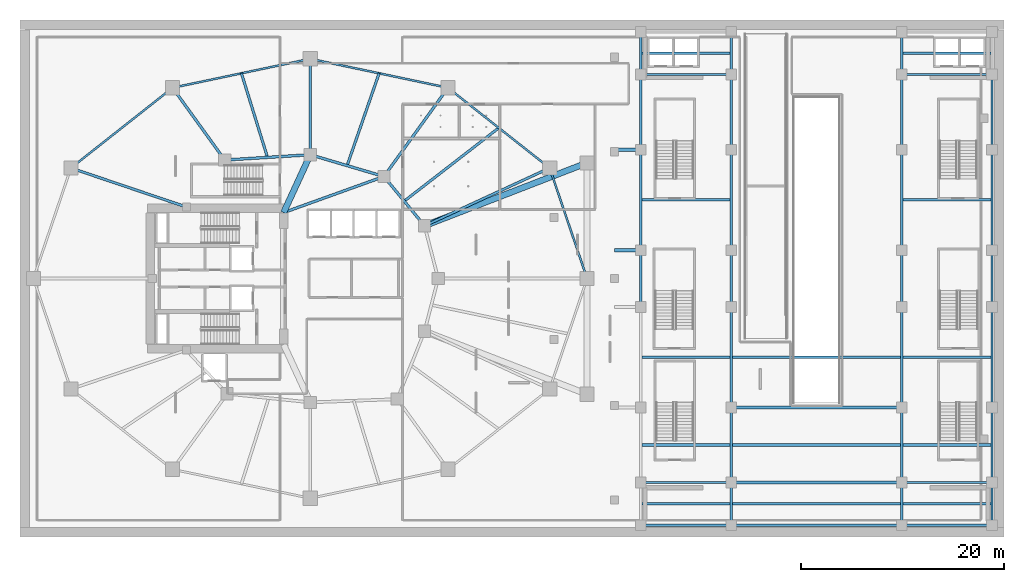
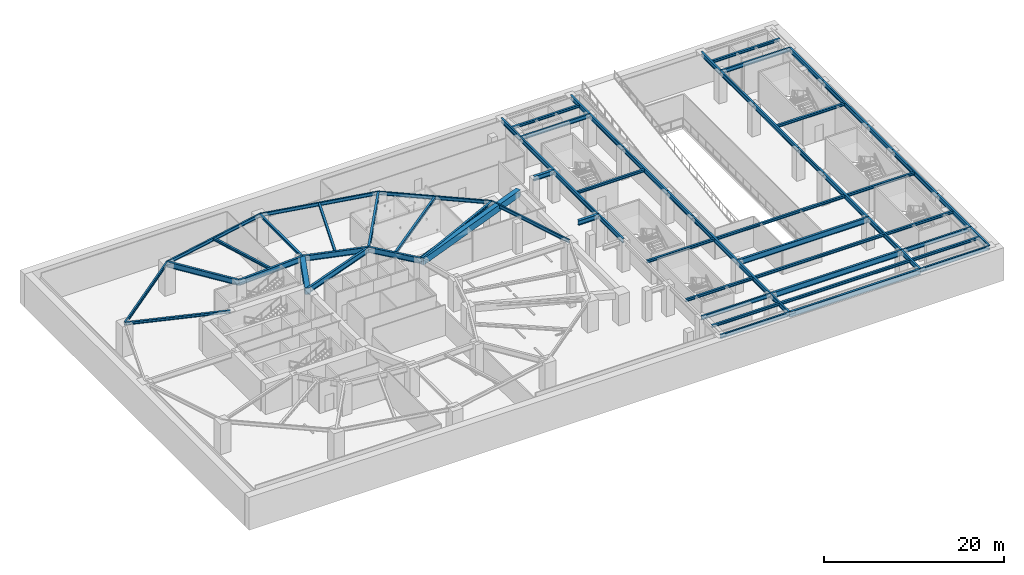
# One storey, part 2 of 16: 67 beams.
"""IFC4 building model written with IfcOpenShell, lengths in metres."""

from ifc_helpers import new_model, si_unit, direction, frame, origin, origin_2d, place, context, subcontext, project, spatial, rectangle, i_section, extrude, material, material_profile, profile_set, type_object, element, save


model = new_model("IFC4")

# Units and contexts
model_context = context("Model", 3, precision=1e-05, world=origin(), true_north=direction((0.0, 1.0)))
body_context = subcontext(model_context, "Body", "Model", "MODEL_VIEW")
ifc_project = project(units=[si_unit("LENGTHUNIT", "METRE"), si_unit("AREAUNIT", "SQUARE_METRE"), si_unit("VOLUMEUNIT", "CUBIC_METRE"), si_unit("PLANEANGLEUNIT", "RADIAN"), si_unit("MASSUNIT", "GRAM", prefix="KILO")], contexts=[model_context])

# Site, building, storey
site_placement = place(None, origin())
site = spatial("IfcSite", under=ifc_project, at=site_placement, CompositionType="ELEMENT")
building_placement = place(site_placement, origin())
building = spatial("IfcBuilding", under=site, at=building_placement, Name="Kolvaren Gate Tower and Convention Centre", CompositionType="ELEMENT")
storey_placement = place(building_placement, frame((0.0, 0.0, -4.5)))
storey = spatial("IfcBuildingStorey", under=building, at=storey_placement, Name="B1", CompositionType="ELEMENT", Elevation=-4.5)

# Beams
ifc_material_1 = material(Name="Structural steel ASTM A992 Grade 345 MPa", Category="steel")
ifc_material_profile_1 = material_profile(ifc_material_1, i_section(OverallWidth=0.2119140625, OverallDepth=0.5439453125, WebThickness=0.01318359375, FlangeThickness=0.021240234375, at=origin_2d()), Name="W530X123")
ifc_profile_set_1 = profile_set([ifc_material_profile_1], Name="Structural steel ASTM A992 Grade 345 MPa")
beam_type_1 = type_object("IfcBeamType", Name="STR-BM-W530X123", PredefinedType="BEAM", material=ifc_profile_set_1)
for number, where, z_axis, x_axis, name in (
    (1, (62.699951171875, 2.699951171875, 3.867919921875), (1.0, 0.0, 0.0), (0.0, 1.0, 0.0), "Convention B1 Transverse Girder CTG-11"),
    (2, (88.39990234375, 2.699951171875, 3.867919921875), (1.0, 0.0, 0.0), (0.0, 1.0, 0.0), "Convention B1 Transverse Girder CTG-31"),
    (3, (62.699951171875, 6.89990234375, 3.867919921875), (1.0, 0.0, 0.0), (0.0, 1.0, 0.0), "Convention B1 Transverse Girder CTG-12"),
    (4, (88.39990234375, 6.89990234375, 3.867919921875), (1.0, 0.0, 0.0), (0.0, 1.0, 0.0), "Convention B1 Transverse Girder CTG-32"),
    (5, (62.699951171875, 47.10009765625, 3.867919921875), (1.0, 0.0, 0.0), (0.0, 1.0, 0.0), "Convention B1 Transverse Girder CTG-17"),
    (6, (88.39990234375, 47.10009765625, 3.867919921875), (1.0, 0.0, 0.0), (0.0, 1.0, 0.0), "Convention B1 Transverse Girder CTG-37"),
):
    element("IfcBeam", number, at=place(storey_placement, frame(where, z_axis=z_axis, x_axis=x_axis)), inside=storey, type_object=beam_type_1, Name=name, PredefinedType="BEAM", context=body_context, shape_type="SweptSolid", body=[
        extrude(i_section(OverallWidth=0.2119140625, OverallDepth=0.5439453125, WebThickness=0.01318359375, FlangeThickness=0.021240234375, at=origin_2d()), origin(), (0.0, 0.0, 1.0), 8.900146484375),
    ])
ifc_material_profile_2 = material_profile(ifc_material_1, i_section(OverallWidth=0.22998046875, OverallDepth=0.616943359375, WebThickness=0.01318359375, FlangeThickness=0.022216796875, at=origin_2d()), Name="W610X140")
ifc_profile_set_2 = profile_set([ifc_material_profile_2], Name="Structural steel ASTM A992 Grade 345 MPa")
beam_type_2 = type_object("IfcBeamType", Name="STR-BM-W610X140", PredefinedType="BEAM", material=ifc_profile_set_2)
beam_1_placement = place(storey_placement, frame((62.699951171875, 24.199951171875, 3.83154296875), z_axis=(0.0, 1.0, 0.0), x_axis=(-1.0, 0.0, 0.0)))
element("IfcBeam", 7, at=beam_1_placement, inside=storey, type_object=beam_type_2, Name="Convention B1 Longitudinal Girder CG-14", PredefinedType="BEAM", context=body_context, shape_type="SweptSolid", body=[
    extrude(i_section(OverallWidth=0.22998046875, OverallDepth=0.616943359375, WebThickness=0.01318359375, FlangeThickness=0.022216796875, at=origin_2d()), origin(), (0.0, 0.0, 1.0), 5.60009765625),
])
beam_2_placement = place(storey_placement, frame((62.699951171875, 29.800048828125, 3.83154296875), z_axis=(0.0, 1.0, 0.0), x_axis=(-1.0, 0.0, 0.0)))
element("IfcBeam", 8, at=beam_2_placement, inside=storey, type_object=beam_type_2, Name="Convention B1 Longitudinal Girder CG-15", PredefinedType="BEAM", context=body_context, shape_type="SweptSolid", body=[
    extrude(i_section(OverallWidth=0.22998046875, OverallDepth=0.616943359375, WebThickness=0.01318359375, FlangeThickness=0.022216796875, at=origin_2d()), origin(), (0.0, 0.0, 1.0), 9.89990234375),
])
beam_3_placement = place(storey_placement, frame((62.699951171875, 39.699951171875, 3.83154296875), z_axis=(0.0, 1.0, 0.0), x_axis=(-1.0, 0.0, 0.0)))
element("IfcBeam", 9, at=beam_3_placement, inside=storey, type_object=beam_type_2, Name="Convention B1 Longitudinal Girder CG-16", PredefinedType="BEAM", context=body_context, shape_type="SweptSolid", body=[
    extrude(i_section(OverallWidth=0.22998046875, OverallDepth=0.616943359375, WebThickness=0.01318359375, FlangeThickness=0.022216796875, at=origin_2d()), origin(), (0.0, 0.0, 1.0), 7.400146484375),
])
for number, where, z_axis, x_axis, name in (
    (10, (62.699951171875, 47.10009765625, 3.83154296875), (0.0, 1.0, 0.0), (-1.0, 0.0, 0.0), "Convention B1 Longitudinal Girder CG-17"),
    (11, (71.60009765625, 2.699951171875, 3.83154296875), (0.0, 1.0, 0.0), (-1.0, 0.0, 0.0), "Convention B1 Longitudinal Girder CG-21"),
):
    element("IfcBeam", number, at=place(storey_placement, frame(where, z_axis=z_axis, x_axis=x_axis)), inside=storey, type_object=beam_type_2, Name=name, PredefinedType="BEAM", context=body_context, shape_type="SweptSolid", body=[
        extrude(i_section(OverallWidth=0.22998046875, OverallDepth=0.616943359375, WebThickness=0.01318359375, FlangeThickness=0.022216796875, at=origin_2d()), origin(), (0.0, 0.0, 1.0), 4.199951171875),
    ])
beam_4_placement = place(storey_placement, frame((71.60009765625, 6.89990234375, 3.83154296875), z_axis=(0.0, 1.0, 0.0), x_axis=(-1.0, 0.0, 0.0)))
element("IfcBeam", 12, at=beam_4_placement, inside=storey, type_object=beam_type_2, Name="Convention B1 Longitudinal Girder CG-22", PredefinedType="BEAM", context=body_context, shape_type="SweptSolid", body=[
    extrude(i_section(OverallWidth=0.22998046875, OverallDepth=0.616943359375, WebThickness=0.01318359375, FlangeThickness=0.022216796875, at=origin_2d()), origin(), (0.0, 0.0, 1.0), 7.400146484375),
])
beam_5_placement = place(storey_placement, frame((71.60009765625, 14.300048828125, 3.83154296875), z_axis=(0.0, 1.0, 0.0), x_axis=(-1.0, 0.0, 0.0)))
element("IfcBeam", 13, at=beam_5_placement, inside=storey, type_object=beam_type_2, Name="Convention B1 Longitudinal Girder CG-23", PredefinedType="BEAM", context=body_context, shape_type="SweptSolid", body=[
    extrude(i_section(OverallWidth=0.22998046875, OverallDepth=0.616943359375, WebThickness=0.01318359375, FlangeThickness=0.022216796875, at=origin_2d()), origin(), (0.0, 0.0, 1.0), 9.89990234375),
])
beam_6_placement = place(storey_placement, frame((71.60009765625, 24.199951171875, 3.83154296875), z_axis=(0.0, 1.0, 0.0), x_axis=(-1.0, 0.0, 0.0)))
element("IfcBeam", 14, at=beam_6_placement, inside=storey, type_object=beam_type_2, Name="Convention B1 Longitudinal Girder CG-24", PredefinedType="BEAM", context=body_context, shape_type="SweptSolid", body=[
    extrude(i_section(OverallWidth=0.22998046875, OverallDepth=0.616943359375, WebThickness=0.01318359375, FlangeThickness=0.022216796875, at=origin_2d()), origin(), (0.0, 0.0, 1.0), 5.60009765625),
])
beam_7_placement = place(storey_placement, frame((71.60009765625, 29.800048828125, 3.83154296875), z_axis=(0.0, 1.0, 0.0), x_axis=(-1.0, 0.0, 0.0)))
element("IfcBeam", 15, at=beam_7_placement, inside=storey, type_object=beam_type_2, Name="Convention B1 Longitudinal Girder CG-25", PredefinedType="BEAM", context=body_context, shape_type="SweptSolid", body=[
    extrude(i_section(OverallWidth=0.22998046875, OverallDepth=0.616943359375, WebThickness=0.01318359375, FlangeThickness=0.022216796875, at=origin_2d()), origin(), (0.0, 0.0, 1.0), 9.89990234375),
])
beam_8_placement = place(storey_placement, frame((71.60009765625, 39.699951171875, 3.83154296875), z_axis=(0.0, 1.0, 0.0), x_axis=(-1.0, 0.0, 0.0)))
element("IfcBeam", 16, at=beam_8_placement, inside=storey, type_object=beam_type_2, Name="Convention B1 Longitudinal Girder CG-26", PredefinedType="BEAM", context=body_context, shape_type="SweptSolid", body=[
    extrude(i_section(OverallWidth=0.22998046875, OverallDepth=0.616943359375, WebThickness=0.01318359375, FlangeThickness=0.022216796875, at=origin_2d()), origin(), (0.0, 0.0, 1.0), 7.400146484375),
])
for number, where, z_axis, x_axis, name in (
    (17, (71.60009765625, 47.10009765625, 3.83154296875), (0.0, 1.0, 0.0), (-1.0, 0.0, 0.0), "Convention B1 Longitudinal Girder CG-27"),
    (18, (88.39990234375, 2.699951171875, 3.83154296875), (0.0, 1.0, 0.0), (-1.0, 0.0, 0.0), "Convention B1 Longitudinal Girder CG-31"),
):
    element("IfcBeam", number, at=place(storey_placement, frame(where, z_axis=z_axis, x_axis=x_axis)), inside=storey, type_object=beam_type_2, Name=name, PredefinedType="BEAM", context=body_context, shape_type="SweptSolid", body=[
        extrude(i_section(OverallWidth=0.22998046875, OverallDepth=0.616943359375, WebThickness=0.01318359375, FlangeThickness=0.022216796875, at=origin_2d()), origin(), (0.0, 0.0, 1.0), 4.199951171875),
    ])
beam_9_placement = place(storey_placement, frame((88.39990234375, 6.89990234375, 3.83154296875), z_axis=(0.0, 1.0, 0.0), x_axis=(-1.0, 0.0, 0.0)))
element("IfcBeam", 19, at=beam_9_placement, inside=storey, type_object=beam_type_2, Name="Convention B1 Longitudinal Girder CG-32", PredefinedType="BEAM", context=body_context, shape_type="SweptSolid", body=[
    extrude(i_section(OverallWidth=0.22998046875, OverallDepth=0.616943359375, WebThickness=0.01318359375, FlangeThickness=0.022216796875, at=origin_2d()), origin(), (0.0, 0.0, 1.0), 7.400146484375),
])
beam_10_placement = place(storey_placement, frame((88.39990234375, 14.300048828125, 3.83154296875), z_axis=(0.0, 1.0, 0.0), x_axis=(-1.0, 0.0, 0.0)))
element("IfcBeam", 20, at=beam_10_placement, inside=storey, type_object=beam_type_2, Name="Convention B1 Longitudinal Girder CG-33", PredefinedType="BEAM", context=body_context, shape_type="SweptSolid", body=[
    extrude(i_section(OverallWidth=0.22998046875, OverallDepth=0.616943359375, WebThickness=0.01318359375, FlangeThickness=0.022216796875, at=origin_2d()), origin(), (0.0, 0.0, 1.0), 9.89990234375),
])
beam_11_placement = place(storey_placement, frame((88.39990234375, 24.199951171875, 3.83154296875), z_axis=(0.0, 1.0, 0.0), x_axis=(-1.0, 0.0, 0.0)))
element("IfcBeam", 21, at=beam_11_placement, inside=storey, type_object=beam_type_2, Name="Convention B1 Longitudinal Girder CG-34", PredefinedType="BEAM", context=body_context, shape_type="SweptSolid", body=[
    extrude(i_section(OverallWidth=0.22998046875, OverallDepth=0.616943359375, WebThickness=0.01318359375, FlangeThickness=0.022216796875, at=origin_2d()), origin(), (0.0, 0.0, 1.0), 5.60009765625),
])
beam_12_placement = place(storey_placement, frame((88.39990234375, 29.800048828125, 3.83154296875), z_axis=(0.0, 1.0, 0.0), x_axis=(-1.0, 0.0, 0.0)))
element("IfcBeam", 22, at=beam_12_placement, inside=storey, type_object=beam_type_2, Name="Convention B1 Longitudinal Girder CG-35", PredefinedType="BEAM", context=body_context, shape_type="SweptSolid", body=[
    extrude(i_section(OverallWidth=0.22998046875, OverallDepth=0.616943359375, WebThickness=0.01318359375, FlangeThickness=0.022216796875, at=origin_2d()), origin(), (0.0, 0.0, 1.0), 9.89990234375),
])
beam_13_placement = place(storey_placement, frame((88.39990234375, 39.699951171875, 3.83154296875), z_axis=(0.0, 1.0, 0.0), x_axis=(-1.0, 0.0, 0.0)))
element("IfcBeam", 23, at=beam_13_placement, inside=storey, type_object=beam_type_2, Name="Convention B1 Longitudinal Girder CG-36", PredefinedType="BEAM", context=body_context, shape_type="SweptSolid", body=[
    extrude(i_section(OverallWidth=0.22998046875, OverallDepth=0.616943359375, WebThickness=0.01318359375, FlangeThickness=0.022216796875, at=origin_2d()), origin(), (0.0, 0.0, 1.0), 7.400146484375),
])
for number, where, z_axis, x_axis, name in (
    (24, (88.39990234375, 47.10009765625, 3.83154296875), (0.0, 1.0, 0.0), (-1.0, 0.0, 0.0), "Convention B1 Longitudinal Girder CG-37"),
    (25, (97.300048828125, 2.699951171875, 3.83154296875), (0.0, 1.0, 0.0), (-1.0, 0.0, 0.0), "Convention B1 Longitudinal Girder CG-41"),
):
    element("IfcBeam", number, at=place(storey_placement, frame(where, z_axis=z_axis, x_axis=x_axis)), inside=storey, type_object=beam_type_2, Name=name, PredefinedType="BEAM", context=body_context, shape_type="SweptSolid", body=[
        extrude(i_section(OverallWidth=0.22998046875, OverallDepth=0.616943359375, WebThickness=0.01318359375, FlangeThickness=0.022216796875, at=origin_2d()), origin(), (0.0, 0.0, 1.0), 4.199951171875),
    ])
beam_14_placement = place(storey_placement, frame((97.300048828125, 6.89990234375, 3.83154296875), z_axis=(0.0, 1.0, 0.0), x_axis=(-1.0, 0.0, 0.0)))
element("IfcBeam", 26, at=beam_14_placement, inside=storey, type_object=beam_type_2, Name="Convention B1 Longitudinal Girder CG-42", PredefinedType="BEAM", context=body_context, shape_type="SweptSolid", body=[
    extrude(i_section(OverallWidth=0.22998046875, OverallDepth=0.616943359375, WebThickness=0.01318359375, FlangeThickness=0.022216796875, at=origin_2d()), origin(), (0.0, 0.0, 1.0), 7.400146484375),
])
beam_15_placement = place(storey_placement, frame((97.300048828125, 14.300048828125, 3.83154296875), z_axis=(0.0, 1.0, 0.0), x_axis=(-1.0, 0.0, 0.0)))
element("IfcBeam", 27, at=beam_15_placement, inside=storey, type_object=beam_type_2, Name="Convention B1 Longitudinal Girder CG-43", PredefinedType="BEAM", context=body_context, shape_type="SweptSolid", body=[
    extrude(i_section(OverallWidth=0.22998046875, OverallDepth=0.616943359375, WebThickness=0.01318359375, FlangeThickness=0.022216796875, at=origin_2d()), origin(), (0.0, 0.0, 1.0), 9.89990234375),
])
beam_16_placement = place(storey_placement, frame((97.300048828125, 24.199951171875, 3.83154296875), z_axis=(0.0, 1.0, 0.0), x_axis=(-1.0, 0.0, 0.0)))
element("IfcBeam", 28, at=beam_16_placement, inside=storey, type_object=beam_type_2, Name="Convention B1 Longitudinal Girder CG-44", PredefinedType="BEAM", context=body_context, shape_type="SweptSolid", body=[
    extrude(i_section(OverallWidth=0.22998046875, OverallDepth=0.616943359375, WebThickness=0.01318359375, FlangeThickness=0.022216796875, at=origin_2d()), origin(), (0.0, 0.0, 1.0), 5.60009765625),
])
beam_17_placement = place(storey_placement, frame((97.300048828125, 29.800048828125, 3.83154296875), z_axis=(0.0, 1.0, 0.0), x_axis=(-1.0, 0.0, 0.0)))
element("IfcBeam", 29, at=beam_17_placement, inside=storey, type_object=beam_type_2, Name="Convention B1 Longitudinal Girder CG-45", PredefinedType="BEAM", context=body_context, shape_type="SweptSolid", body=[
    extrude(i_section(OverallWidth=0.22998046875, OverallDepth=0.616943359375, WebThickness=0.01318359375, FlangeThickness=0.022216796875, at=origin_2d()), origin(), (0.0, 0.0, 1.0), 9.89990234375),
])
beam_18_placement = place(storey_placement, frame((97.300048828125, 39.699951171875, 3.83154296875), z_axis=(0.0, 1.0, 0.0), x_axis=(-1.0, 0.0, 0.0)))
element("IfcBeam", 30, at=beam_18_placement, inside=storey, type_object=beam_type_2, Name="Convention B1 Longitudinal Girder CG-46", PredefinedType="BEAM", context=body_context, shape_type="SweptSolid", body=[
    extrude(i_section(OverallWidth=0.22998046875, OverallDepth=0.616943359375, WebThickness=0.01318359375, FlangeThickness=0.022216796875, at=origin_2d()), origin(), (0.0, 0.0, 1.0), 7.400146484375),
])
ifc_material_profile_3 = material_profile(ifc_material_1, i_section(OverallWidth=0.327880859375, OverallDepth=0.6279296875, WebThickness=0.0166015625, FlangeThickness=0.027587890625, at=origin_2d()), Name="W610X217")
ifc_profile_set_3 = profile_set([ifc_material_profile_3], Name="Structural steel ASTM A992 Grade 345 MPa")
beam_type_3 = type_object("IfcBeamType", Name="STR-BM-W610X217", PredefinedType="BEAM", material=ifc_profile_set_3)
for number, where, z_axis, x_axis, name in (
    (31, (60.10009765625, 29.800048828125, 3.825927734375), (1.0, 0.0, 0.0), (0.0, 1.0, 0.0), "Basement B1 Substructure Girder SG-29"),
    (32, (60.10009765625, 39.699951171875, 3.825927734375), (1.0, 0.0, 0.0), (0.0, 1.0, 0.0), "Basement B1 Substructure Girder SG-39"),
):
    element("IfcBeam", number, at=place(storey_placement, frame(where, z_axis=z_axis, x_axis=x_axis)), inside=storey, type_object=beam_type_3, Name=name, PredefinedType="BEAM", context=body_context, shape_type="SweptSolid", body=[
        extrude(i_section(OverallWidth=0.327880859375, OverallDepth=0.6279296875, WebThickness=0.0166015625, FlangeThickness=0.027587890625, at=origin_2d()), origin(), (0.0, 0.0, 1.0), 2.599853515625),
    ])
ifc_material_profile_4 = material_profile(ifc_material_1, i_section(OverallWidth=0.26806640625, OverallDepth=0.758056640625, WebThickness=0.016357421875, FlangeThickness=0.025390625, at=origin_2d()), Name="W760X220")
ifc_profile_set_4 = profile_set([ifc_material_profile_4], Name="Structural steel ASTM A992 Grade 345 MPa")
beam_type_4 = type_object("IfcBeamType", Name="STR-BM-W760X220", PredefinedType="BEAM", material=ifc_profile_set_4)
beam_19_placement = place(storey_placement, frame((41.382080078125, 32.199462890625, 3.760986328125), z_axis=(-0.635884066011, 0.771784590798, 0.0), x_axis=(-0.771784590798, -0.635884066011, 0.0)))
element("IfcBeam", 33, at=beam_19_placement, inside=storey, type_object=beam_type_4, Name="Tower B1 Primary Ring Girder G-02", PredefinedType="BEAM", context=body_context, shape_type="SweptSolid", body=[
    extrude(i_section(OverallWidth=0.26806640625, OverallDepth=0.758056640625, WebThickness=0.016357421875, FlangeThickness=0.025390625, at=origin_2d()), origin(), (0.0, 0.0, 1.0), 6.291259765625),
])
beam_20_placement = place(storey_placement, frame((37.381591796875, 37.054931640625, 3.760986328125), z_axis=(-0.958980837827, 0.283470902706, 0.0), x_axis=(-0.283470902706, -0.958980837827, 0.0)))
element("IfcBeam", 34, at=beam_20_placement, inside=storey, type_object=beam_type_4, Name="Tower B1 Primary Ring Girder G-03", PredefinedType="BEAM", context=body_context, shape_type="SweptSolid", body=[
    extrude(i_section(OverallWidth=0.26806640625, OverallDepth=0.758056640625, WebThickness=0.016357421875, FlangeThickness=0.025390625, at=origin_2d()), origin(), (0.0, 0.0, 1.0), 7.56689453125),
])
beam_21_placement = place(storey_placement, frame((30.125, 39.199951171875, 3.760986328125), z_axis=(-0.998078258568, -0.06196603726, 0.0), x_axis=(0.06196603726, -0.998078258568, 0.0)))
element("IfcBeam", 35, at=beam_21_placement, inside=storey, type_object=beam_type_4, Name="Tower B1 Primary Ring Girder G-04", PredefinedType="BEAM", context=body_context, shape_type="SweptSolid", body=[
    extrude(i_section(OverallWidth=0.26806640625, OverallDepth=0.758056640625, WebThickness=0.016357421875, FlangeThickness=0.025390625, at=origin_2d()), origin(), (0.0, 0.0, 1.0), 8.443115234375),
])
beam_22_placement = place(storey_placement, frame((27.5, 33.5, 3.760986328125), z_axis=(0.940961479908, 0.338513653093, 0.0), x_axis=(-0.338513653093, 0.940961479908, 0.0)))
element("IfcBeam", 36, at=beam_22_placement, inside=storey, type_object=beam_type_4, Name="Tower B1 Primary Ring Girder G-10", PredefinedType="BEAM", context=body_context, shape_type="SweptSolid", body=[
    extrude(i_section(OverallWidth=0.26806640625, OverallDepth=0.758056640625, WebThickness=0.016357421875, FlangeThickness=0.025390625, at=origin_2d()), origin(), (0.0, 0.0, 1.0), 10.501708984375),
])
beam_23_placement = place(storey_placement, frame((37.381591796875, 37.054931640625, 3.760986328125), z_axis=(0.585205244783, 0.81088520857, 0.0), x_axis=(-0.81088520857, 0.585205244783, 0.0)))
element("IfcBeam", 37, at=beam_23_placement, inside=storey, type_object=beam_type_4, Name="Tower B1 Radial Floor Girder RB-03", PredefinedType="BEAM", context=body_context, shape_type="SweptSolid", body=[
    extrude(i_section(OverallWidth=0.26806640625, OverallDepth=0.758056640625, WebThickness=0.016357421875, FlangeThickness=0.025390625, at=origin_2d()), origin(), (0.0, 0.0, 1.0), 10.780029296875),
])
beam_24_placement = place(storey_placement, frame((21.697998046875, 38.6767578125, 3.760986328125), z_axis=(-0.585208283095, 0.810883015852, 0.0), x_axis=(-0.810883015852, -0.585208283095, 0.0)))
element("IfcBeam", 38, at=beam_24_placement, inside=storey, type_object=beam_type_4, Name="Tower B1 Radial Floor Girder RB-05", PredefinedType="BEAM", context=body_context, shape_type="SweptSolid", body=[
    extrude(i_section(OverallWidth=0.26806640625, OverallDepth=0.758056640625, WebThickness=0.016357421875, FlangeThickness=0.025390625, at=origin_2d()), origin(), (0.0, 0.0, 1.0), 8.780029296875),
])
for number, where, z_axis, x_axis, name in (
    (39, (71.60009765625, 2.699951171875, 3.760986328125), (1.0, 0.0, 0.0), (0.0, 1.0, 0.0), "Convention B1 Transverse Girder CTG-21"),
    (40, (71.60009765625, 6.89990234375, 3.760986328125), (1.0, 0.0, 0.0), (0.0, 1.0, 0.0), "Convention B1 Transverse Girder CTG-22"),
    (41, (71.60009765625, 14.300048828125, 3.760986328125), (1.0, 0.0, 0.0), (0.0, 1.0, 0.0), "Convention B1 Transverse Girder CTG-23"),
):
    element("IfcBeam", number, at=place(storey_placement, frame(where, z_axis=z_axis, x_axis=x_axis)), inside=storey, type_object=beam_type_4, Name=name, PredefinedType="BEAM", context=body_context, shape_type="SweptSolid", body=[
        extrude(i_section(OverallWidth=0.26806640625, OverallDepth=0.758056640625, WebThickness=0.016357421875, FlangeThickness=0.025390625, at=origin_2d()), origin(), (0.0, 0.0, 1.0), 16.7998046875),
    ])
ifc_material_profile_5 = material_profile(ifc_material_1, i_section(OverallWidth=0.2548828125, OverallDepth=0.35693359375, WebThickness=0.010498046875, FlangeThickness=0.018310546875, at=origin_2d()), Name="W360X101")
ifc_profile_set_5 = profile_set([ifc_material_profile_5], Name="Structural steel ASTM A992 Grade 345 MPa")
beam_type_5 = type_object("IfcBeamType", Name="STR-JS-W360X101", PredefinedType="JOIST", material=ifc_profile_set_5)
beam_25_placement = place(storey_placement, frame((41.382080078125, 32.199462890625, 3.96142578125), z_axis=(0.907842006347, 0.419312403241, 0.0), x_axis=(-0.419312403241, 0.907842006347, 0.0)))
element("IfcBeam", 42, at=beam_25_placement, inside=storey, type_object=beam_type_5, Name="Tower B1 Radial Floor Girder RB-02", PredefinedType="JOIST", context=body_context, shape_type="SweptSolid", body=[
    extrude(i_section(OverallWidth=0.2548828125, OverallDepth=0.35693359375, WebThickness=0.010498046875, FlangeThickness=0.018310546875, at=origin_2d()), origin(), (0.0, 0.0, 1.0), 13.57958984375),
])
beam_26_placement = place(storey_placement, frame((30.125, 39.199951171875, 3.96142578125), z_axis=(0.0, 1.0, 0.0), x_axis=(-1.0, 0.0, 0.0)))
element("IfcBeam", 43, at=beam_26_placement, inside=storey, type_object=beam_type_5, Name="Tower B1 Radial Floor Girder RB-04", PredefinedType="JOIST", context=body_context, shape_type="SweptSolid", body=[
    extrude(i_section(OverallWidth=0.2548828125, OverallDepth=0.35693359375, WebThickness=0.010498046875, FlangeThickness=0.018310546875, at=origin_2d()), origin(), (0.0, 0.0, 1.0), 9.449951171875),
])
beam_27_placement = place(storey_placement, frame((17.9140625, 34.050048828125, 3.96142578125), z_axis=(-0.947373842609, 0.320129352512, 0.0), x_axis=(-0.320129352512, -0.947373842609, 0.0)))
element("IfcBeam", 44, at=beam_27_placement, inside=storey, type_object=beam_type_5, Name="Tower B1 Radial Floor Girder RB-06", PredefinedType="JOIST", context=body_context, shape_type="SweptSolid", body=[
    extrude(i_section(OverallWidth=0.2548828125, OverallDepth=0.35693359375, WebThickness=0.010498046875, FlangeThickness=0.018310546875, at=origin_2d()), origin(), (0.0, 0.0, 1.0), 12.006103515625),
])
beam_28_placement = place(storey_placement, frame((39.3818359375, 34.627197265625, 3.96142578125), z_axis=(0.790577493994, 0.612362005671, 0.0), x_axis=(-0.612362005671, 0.790577493994, 0.0)))
element("IfcBeam", 45, at=beam_28_placement, inside=storey, type_object=beam_type_5, Name="Tower B1 Secondary Composite Floor Joist J-02.1", PredefinedType="JOIST", context=body_context, shape_type="SweptSolid", body=[
    extrude(i_section(OverallWidth=0.2548828125, OverallDepth=0.35693359375, WebThickness=0.010498046875, FlangeThickness=0.018310546875, at=origin_2d()), origin(), (0.0, 0.0, 1.0), 11.786865234375),
])
beam_29_placement = place(storey_placement, frame((33.75341796875, 38.12744140625, 3.96142578125), z_axis=(0.327647050942, 0.944800195813, 0.0), x_axis=(-0.944800195813, 0.327647050942, 0.0)))
element("IfcBeam", 46, at=beam_29_placement, inside=storey, type_object=beam_type_5, Name="Tower B1 Secondary Composite Floor Joist J-03.1", PredefinedType="JOIST", context=body_context, shape_type="SweptSolid", body=[
    extrude(i_section(OverallWidth=0.2548828125, OverallDepth=0.35693359375, WebThickness=0.010498046875, FlangeThickness=0.018310546875, at=origin_2d()), origin(), (0.0, 0.0, 1.0), 9.627197265625),
])
beam_30_placement = place(storey_placement, frame((25.91162109375, 38.938232421875, 3.96142578125), z_axis=(-0.296205333134, 0.955124285433, 0.0), x_axis=(-0.955124285433, -0.296205333134, 0.0)))
element("IfcBeam", 47, at=beam_30_placement, inside=storey, type_object=beam_type_5, Name="Tower B1 Secondary Composite Floor Joist J-04.1", PredefinedType="JOIST", context=body_context, shape_type="SweptSolid", body=[
    extrude(i_section(OverallWidth=0.2548828125, OverallDepth=0.35693359375, WebThickness=0.010498046875, FlangeThickness=0.018310546875, at=origin_2d()), origin(), (0.0, 0.0, 1.0), 8.674072265625),
])
beam_31_placement = place(storey_placement, frame((62.81494140625, 4.800048828125, 3.96142578125), z_axis=(1.0, 0.0, 0.0), x_axis=(0.0, 1.0, 0.0)))
element("IfcBeam", 48, at=beam_31_placement, inside=storey, type_object=beam_type_5, Name="Convention B1 Composite Floor Joist CJ-11", PredefinedType="JOIST", context=body_context, shape_type="SweptSolid", body=[
    extrude(i_section(OverallWidth=0.2548828125, OverallDepth=0.35693359375, WebThickness=0.010498046875, FlangeThickness=0.018310546875, at=origin_2d()), origin(), (0.0, 0.0, 1.0), 8.670166015625),
])
beam_32_placement = place(storey_placement, frame((71.715087890625, 4.800048828125, 3.96142578125), z_axis=(1.0, 0.0, 0.0), x_axis=(0.0, 1.0, 0.0)))
element("IfcBeam", 49, at=beam_32_placement, inside=storey, type_object=beam_type_5, Name="Convention B1 Composite Floor Joist CJ-21", PredefinedType="JOIST", context=body_context, shape_type="SweptSolid", body=[
    extrude(i_section(OverallWidth=0.2548828125, OverallDepth=0.35693359375, WebThickness=0.010498046875, FlangeThickness=0.018310546875, at=origin_2d()), origin(), (0.0, 0.0, 1.0), 16.56982421875),
])
for number, where, z_axis, x_axis, name in (
    (50, (88.514892578125, 4.800048828125, 3.96142578125), (1.0, 0.0, 0.0), (0.0, 1.0, 0.0), "Convention B1 Composite Floor Joist CJ-31"),
    (51, (62.81494140625, 10.60009765625, 3.96142578125), (1.0, 0.0, 0.0), (0.0, 1.0, 0.0), "Convention B1 Composite Floor Joist CJ-12"),
):
    element("IfcBeam", number, at=place(storey_placement, frame(where, z_axis=z_axis, x_axis=x_axis)), inside=storey, type_object=beam_type_5, Name=name, PredefinedType="JOIST", context=body_context, shape_type="SweptSolid", body=[
        extrude(i_section(OverallWidth=0.2548828125, OverallDepth=0.35693359375, WebThickness=0.010498046875, FlangeThickness=0.018310546875, at=origin_2d()), origin(), (0.0, 0.0, 1.0), 8.670166015625),
    ])
beam_33_placement = place(storey_placement, frame((71.715087890625, 10.60009765625, 3.96142578125), z_axis=(1.0, 0.0, 0.0), x_axis=(0.0, 1.0, 0.0)))
element("IfcBeam", 52, at=beam_33_placement, inside=storey, type_object=beam_type_5, Name="Convention B1 Composite Floor Joist CJ-22", PredefinedType="JOIST", context=body_context, shape_type="SweptSolid", body=[
    extrude(i_section(OverallWidth=0.2548828125, OverallDepth=0.35693359375, WebThickness=0.010498046875, FlangeThickness=0.018310546875, at=origin_2d()), origin(), (0.0, 0.0, 1.0), 16.56982421875),
])
for number, where, z_axis, x_axis, name in (
    (53, (88.514892578125, 10.60009765625, 3.96142578125), (1.0, 0.0, 0.0), (0.0, 1.0, 0.0), "Convention B1 Composite Floor Joist CJ-32"),
    (54, (62.81494140625, 19.25, 3.96142578125), (1.0, 0.0, 0.0), (0.0, 1.0, 0.0), "Convention B1 Composite Floor Joist CJ-13"),
):
    element("IfcBeam", number, at=place(storey_placement, frame(where, z_axis=z_axis, x_axis=x_axis)), inside=storey, type_object=beam_type_5, Name=name, PredefinedType="JOIST", context=body_context, shape_type="SweptSolid", body=[
        extrude(i_section(OverallWidth=0.2548828125, OverallDepth=0.35693359375, WebThickness=0.010498046875, FlangeThickness=0.018310546875, at=origin_2d()), origin(), (0.0, 0.0, 1.0), 8.670166015625),
    ])
beam_34_placement = place(storey_placement, frame((71.715087890625, 19.25, 3.96142578125), z_axis=(1.0, 0.0, 0.0), x_axis=(0.0, 1.0, 0.0)))
element("IfcBeam", 55, at=beam_34_placement, inside=storey, type_object=beam_type_5, Name="Convention B1 Composite Floor Joist CJ-23", PredefinedType="JOIST", context=body_context, shape_type="SweptSolid", body=[
    extrude(i_section(OverallWidth=0.2548828125, OverallDepth=0.35693359375, WebThickness=0.010498046875, FlangeThickness=0.018310546875, at=origin_2d()), origin(), (0.0, 0.0, 1.0), 16.56982421875),
])
for number, where, z_axis, x_axis, name in (
    (56, (88.514892578125, 19.25, 3.96142578125), (1.0, 0.0, 0.0), (0.0, 1.0, 0.0), "Convention B1 Composite Floor Joist CJ-33"),
    (57, (62.81494140625, 34.75, 3.96142578125), (1.0, 0.0, 0.0), (0.0, 1.0, 0.0), "Convention B1 Composite Floor Joist CJ-15"),
    (58, (88.514892578125, 34.75, 3.96142578125), (1.0, 0.0, 0.0), (0.0, 1.0, 0.0), "Convention B1 Composite Floor Joist CJ-35"),
    (59, (62.81494140625, 49.199951171875, 3.96142578125), (1.0, 0.0, 0.0), (0.0, 1.0, 0.0), "Convention B1 Composite Floor Joist CJ-17"),
    (60, (88.514892578125, 49.199951171875, 3.96142578125), (1.0, 0.0, 0.0), (0.0, 1.0, 0.0), "Convention B1 Composite Floor Joist CJ-37"),
):
    element("IfcBeam", number, at=place(storey_placement, frame(where, z_axis=z_axis, x_axis=x_axis)), inside=storey, type_object=beam_type_5, Name=name, PredefinedType="JOIST", context=body_context, shape_type="SweptSolid", body=[
        extrude(i_section(OverallWidth=0.2548828125, OverallDepth=0.35693359375, WebThickness=0.010498046875, FlangeThickness=0.018310546875, at=origin_2d()), origin(), (0.0, 0.0, 1.0), 8.670166015625),
    ])
ifc_material_profile_6 = material_profile(ifc_material_1, i_section(OverallWidth=0.194091796875, OverallDepth=0.468994140625, WebThickness=0.0126953125, FlangeThickness=0.0205078125, at=origin_2d()), Name="W460X106")
ifc_profile_set_6 = profile_set([ifc_material_profile_6], Name="Structural steel ASTM A992 Grade 345 MPa")
beam_type_6 = type_object("IfcBeamType", Name="STR-SP-W460X106", PredefinedType="SPANDREL", material=ifc_profile_set_6)
beam_35_placement = place(storey_placement, frame((57.39990234375, 27.0, 3.905517578125), z_axis=(-0.320802733798, 0.947146032029, 0.0), x_axis=(-0.947146032029, -0.320802733798, 0.0)))
element("IfcBeam", 61, at=beam_35_placement, inside=storey, type_object=beam_type_6, Name="Tower B1 Perimeter Spandrel Beam SP-01", PredefinedType="SPANDREL", context=body_context, shape_type="SweptSolid", body=[
    extrude(i_section(OverallWidth=0.194091796875, OverallDepth=0.468994140625, WebThickness=0.0126953125, FlangeThickness=0.0205078125, at=origin_2d()), origin(), (0.0, 0.0, 1.0), 11.50146484375),
])
beam_36_placement = place(storey_placement, frame((53.710205078125, 37.8935546875, 3.905517578125), z_axis=(-0.785176498861, 0.619272044933, 0.0), x_axis=(-0.619272044933, -0.785176498861, 0.0)))
element("IfcBeam", 62, at=beam_36_placement, inside=storey, type_object=beam_type_6, Name="Tower B1 Perimeter Spandrel Beam SP-02", PredefinedType="SPANDREL", context=body_context, shape_type="SweptSolid", body=[
    extrude(i_section(OverallWidth=0.194091796875, OverallDepth=0.468994140625, WebThickness=0.0126953125, FlangeThickness=0.0205078125, at=origin_2d()), origin(), (0.0, 0.0, 1.0), 12.761474609375),
])
for number, where, z_axis, x_axis, name in (
    (63, (43.690185546875, 45.79638671875, 3.905517578125), (-0.978583407863, 0.205850707685, 0.0), (-0.205850707685, -0.978583407863, 0.0), "Tower B1 Perimeter Spandrel Beam SP-03"),
    (64, (30.125, 48.64990234375, 3.905517578125), (-0.978583407863, -0.205850707685, 0.0), (0.205850707685, -0.978583407863, 0.0), "Tower B1 Perimeter Spandrel Beam SP-04"),
):
    element("IfcBeam", number, at=place(storey_placement, frame(where, z_axis=z_axis, x_axis=x_axis)), inside=storey, type_object=beam_type_6, Name=name, PredefinedType="SPANDREL", context=body_context, shape_type="SweptSolid", body=[
        extrude(i_section(OverallWidth=0.194091796875, OverallDepth=0.468994140625, WebThickness=0.0126953125, FlangeThickness=0.0205078125, at=origin_2d()), origin(), (0.0, 0.0, 1.0), 13.862060546875),
    ])
beam_37_placement = place(storey_placement, frame((16.559814453125, 45.79638671875, 3.905517578125), z_axis=(-0.785176498861, -0.619272044933, 0.0), x_axis=(0.619272044933, -0.785176498861, 0.0)))
element("IfcBeam", 65, at=beam_37_placement, inside=storey, type_object=beam_type_6, Name="Tower B1 Perimeter Spandrel Beam SP-05", PredefinedType="SPANDREL", context=body_context, shape_type="SweptSolid", body=[
    extrude(i_section(OverallWidth=0.194091796875, OverallDepth=0.468994140625, WebThickness=0.0126953125, FlangeThickness=0.0205078125, at=origin_2d()), origin(), (0.0, 0.0, 1.0), 12.761474609375),
])
ifc_material_2 = material(Name="Concrete C60/75", Category="concrete")
ifc_material_profile_7 = material_profile(ifc_material_2, rectangle(XDim=0.60009765625, YDim=0.89990234375, at=origin_2d()), Name="RC-BM-600X900")
ifc_profile_set_7 = profile_set([ifc_material_profile_7], Name="Concrete C60/75")
beam_type_7 = type_object("IfcBeamType", Name="STR-TB-RC600X900", PredefinedType="USERDEFINED", material=ifc_profile_set_7)
beam_38_placement = place(storey_placement, frame((57.39990234375, 38.39990234375, 3.68994140625), z_axis=(-0.932568252635, -0.360993703793, 0.0), x_axis=(0.360993703793, -0.932568252635, 0.0)))
element("IfcBeam", 66, at=beam_38_placement, inside=storey, type_object=beam_type_7, Name="Diaphragm Collector Tie Beam ATB-03", ObjectType="TIE BEAM", PredefinedType="USERDEFINED", context=body_context, shape_type="SweptSolid", body=[
    extrude(rectangle(XDim=0.60009765625, YDim=0.89990234375, at=origin_2d()), origin(), (0.0, 0.0, 1.0), 17.176025390625),
])
beam_39_placement = place(storey_placement, frame((27.5, 33.5, 3.68994140625), z_axis=(0.418303092084, 0.908307504732, 0.0), x_axis=(-0.908307504732, 0.418303092084, 0.0)))
element("IfcBeam", 67, at=beam_39_placement, inside=storey, type_object=beam_type_7, Name="Diaphragm Collector Tie Beam ATB-07", ObjectType="TIE BEAM", PredefinedType="USERDEFINED", context=body_context, shape_type="SweptSolid", body=[
    extrude(rectangle(XDim=0.60009765625, YDim=0.89990234375, at=origin_2d()), origin(), (0.0, 0.0, 1.0), 6.275390625),
])

save(model, "model.ifc")
